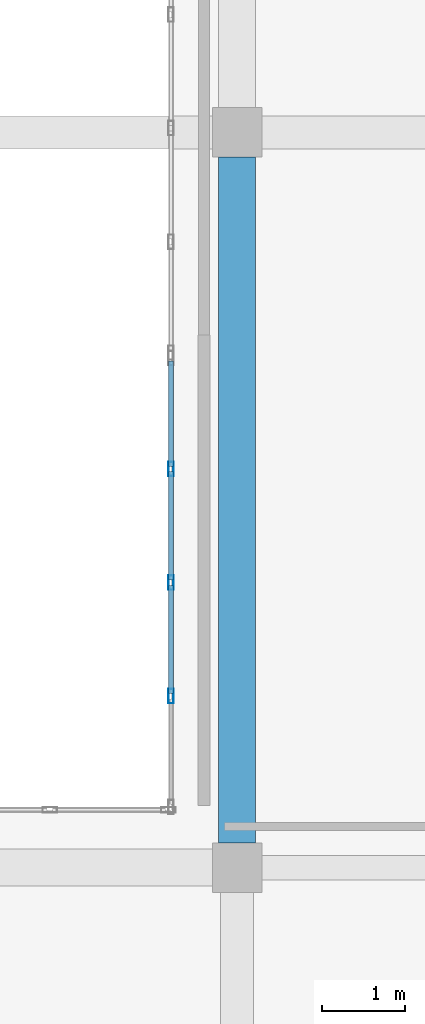
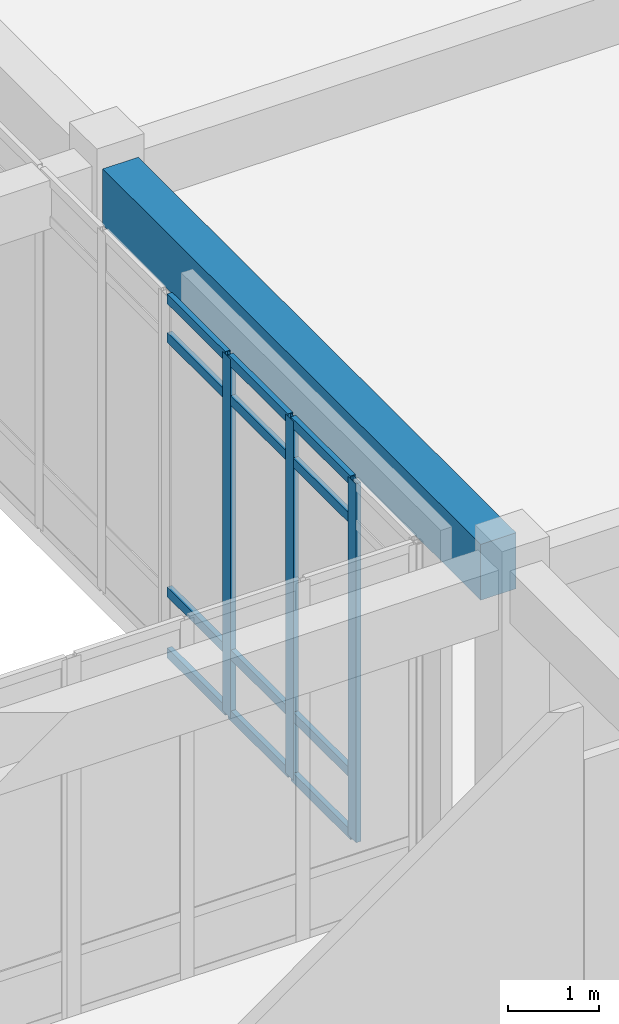
# One storey, part 63 of 121: 15 members, 1 beam, 1 element without a shape of its own.
"""IFC4 building model written with IfcOpenShell, lengths in metres."""

from ifc_helpers import new_model, si_unit, direction, frame, origin, origin_2d, place, context, subcontext, project, spatial, rectangle, hollow_rectangle, extrude, material, layer, layer_set, material_profile, profile_set, type_object, element, aggregate, save


model = new_model("IFC4")

# Units and contexts
model_context = context("Model", 3, precision=1e-05, world=origin(), true_north=direction((0.0, 1.0)))
body_context = subcontext(model_context, "Body", "Model", "MODEL_VIEW")
ifc_project = project(units=[si_unit("LENGTHUNIT", "METRE"), si_unit("AREAUNIT", "SQUARE_METRE"), si_unit("VOLUMEUNIT", "CUBIC_METRE"), si_unit("PLANEANGLEUNIT", "RADIAN"), si_unit("MASSUNIT", "GRAM", prefix="KILO")], contexts=[model_context])

# Site, building, storey
site_placement = place(None, origin())
site = spatial("IfcSite", under=ifc_project, at=site_placement, CompositionType="ELEMENT")
building_placement = place(site_placement, origin())
building = spatial("IfcBuilding", under=site, at=building_placement, Name="Valcora Specialist Clinic", CompositionType="ELEMENT")
storey_placement = place(building_placement, origin())
storey = spatial("IfcBuildingStorey", under=building, at=storey_placement, Name="L00", CompositionType="ELEMENT", Elevation=0.0)

# Beam
ifc_material_1 = material(Name="Concrete C40/50", Category="concrete")
ifc_material_profile_1 = material_profile(ifc_material_1, rectangle(XDim=0.449951171875, YDim=0.75, at=origin_2d()), Name="RC-BM-450X750")
ifc_profile_set_1 = profile_set([ifc_material_profile_1], Name="Concrete C40/50")
beam_type = type_object("IfcBeamType", Name="TY-BM-RC450X750", PredefinedType="BEAM", material=ifc_profile_set_1)
beam_placement = place(storey_placement, frame((126.0, 81.60009765625, 4.43505859375), z_axis=(0.0, 1.0, 0.0), x_axis=(-1.0, 0.0, 0.0)))
element("IfcBeam", 1, at=beam_placement, inside=storey, type_object=beam_type, Name="Beam BM-L00-0603", PredefinedType="BEAM", context=body_context, shape_type="SweptSolid", body=[
    extrude(rectangle(XDim=0.449951171875, YDim=0.75, at=origin_2d()), origin(), (0.0, 0.0, 1.0), 8.2998046875),
])

# Curtain wall, members
ifc_material_2 = material(Name="Anodized Bronze Aluminium 6063-T6", Category="aluminium")
ifc_layer = layer(ifc_material_2, 0.175048828125)
ifc_layer_set = layer_set([ifc_layer], Name="Anodized Bronze Aluminium 6063-T6")
curtain_wall_type = type_object("IfcCurtainWallType", Name="TY-CW-CRT15", PredefinedType="NOTDEFINED", material=ifc_layer_set)
curtain_wall_placement = place(storey_placement, origin())
curtain_wall = element("IfcCurtainWall", 2, at=curtain_wall_placement, inside=storey, type_object=curtain_wall_type, Name="Curtain wall CW-L00-044", PredefinedType="NOTDEFINED")
ifc_material_profile_2 = material_profile(ifc_material_2, hollow_rectangle(XDim=0.06494140625, YDim=0.175048828125, WallThickness=0.00390625, at=origin_2d()), Name="AL-MUL-65X175")
ifc_profile_set_2 = profile_set([ifc_material_profile_2], Name="Anodized Bronze Aluminium 6063-T6")
member_type_1 = type_object("IfcMemberType", Name="TY-CWM-65X175", PredefinedType="MULLION", material=ifc_profile_set_2)
member_1_placement = place(storey_placement, frame((125.199951171875, 83.375, 0.0), z_axis=(0.0, 0.0, 1.0), x_axis=(-1.0, 0.0, 0.0)))
member_1 = element("IfcMember", 3, at=member_1_placement, type_object=member_type_1, Name="CW-CRT-15 mullion 2", PredefinedType="MULLION", context=body_context, shape_type="SweptSolid", body=[
    extrude(hollow_rectangle(XDim=0.06494140625, YDim=0.175048828125, WallThickness=0.00390625, at=origin_2d()), origin(), (0.0, 0.0, 1.0), 4.81005859375),
])
member_2_placement = place(storey_placement, frame((125.199951171875, 84.75, 0.0), z_axis=(0.0, 0.0, 1.0), x_axis=(-1.0, 0.0, 0.0)))
member_2 = element("IfcMember", 4, at=member_2_placement, type_object=member_type_1, Name="CW-CRT-15 mullion 3", PredefinedType="MULLION", context=body_context, shape_type="SweptSolid", body=[
    extrude(hollow_rectangle(XDim=0.06494140625, YDim=0.175048828125, WallThickness=0.00390625, at=origin_2d()), origin(), (0.0, 0.0, 1.0), 4.81005859375),
])
member_3_placement = place(storey_placement, frame((125.199951171875, 86.125, 0.0), z_axis=(0.0, 0.0, 1.0), x_axis=(-1.0, 0.0, 0.0)))
member_3 = element("IfcMember", 5, at=member_3_placement, type_object=member_type_1, Name="CW-CRT-15 mullion 4", PredefinedType="MULLION", context=body_context, shape_type="SweptSolid", body=[
    extrude(hollow_rectangle(XDim=0.06494140625, YDim=0.175048828125, WallThickness=0.00390625, at=origin_2d()), origin(), (0.0, 0.0, 1.0), 4.81005859375),
])
ifc_material_profile_3 = material_profile(ifc_material_2, hollow_rectangle(XDim=0.06494140625, YDim=0.1298828125, WallThickness=0.00390625, at=origin_2d()), Name="AL-TRN-65X130")
ifc_profile_set_3 = profile_set([ifc_material_profile_3], Name="Anodized Bronze Aluminium 6063-T6")
member_type_2 = type_object("IfcMemberType", Name="TY-CWT-65X130", PredefinedType="USERDEFINED", material=ifc_profile_set_3)
member_4_placement = place(storey_placement, frame((125.199951171875, 83.407470703125, 0.032470703125), z_axis=(0.0, 1.0, 0.0), x_axis=(-1.0, 0.0, 0.0)))
member_4 = element("IfcMember", 6, at=member_4_placement, type_object=member_type_2, Name="CW-CRT-15 transom 2.1", ObjectType="TRANSOM", PredefinedType="USERDEFINED", context=body_context, shape_type="SweptSolid", body=[
    extrude(hollow_rectangle(XDim=0.06494140625, YDim=0.1298828125, WallThickness=0.00390625, at=origin_2d()), origin(), (0.0, 0.0, 1.0), 1.31005859375),
])
member_5_placement = place(storey_placement, frame((125.199951171875, 83.407470703125, 0.85009765625), z_axis=(0.0, 1.0, 0.0), x_axis=(-1.0, 0.0, 0.0)))
member_5 = element("IfcMember", 7, at=member_5_placement, type_object=member_type_2, Name="CW-CRT-15 transom 2.2", ObjectType="TRANSOM", PredefinedType="USERDEFINED", context=body_context, shape_type="SweptSolid", body=[
    extrude(hollow_rectangle(XDim=0.06494140625, YDim=0.1298828125, WallThickness=0.00390625, at=origin_2d()), origin(), (0.0, 0.0, 1.0), 1.31005859375),
])
member_6_placement = place(storey_placement, frame((125.199951171875, 83.407470703125, 4.260009765625), z_axis=(0.0, 1.0, 0.0), x_axis=(-1.0, 0.0, 0.0)))
member_6 = element("IfcMember", 8, at=member_6_placement, type_object=member_type_2, Name="CW-CRT-15 transom 2.3", ObjectType="TRANSOM", PredefinedType="USERDEFINED", context=body_context, shape_type="SweptSolid", body=[
    extrude(hollow_rectangle(XDim=0.06494140625, YDim=0.1298828125, WallThickness=0.00390625, at=origin_2d()), origin(), (0.0, 0.0, 1.0), 1.31005859375),
])
member_7_placement = place(storey_placement, frame((125.199951171875, 83.407470703125, 4.777587890625), z_axis=(0.0, 1.0, 0.0), x_axis=(-1.0, 0.0, 0.0)))
member_7 = element("IfcMember", 9, at=member_7_placement, type_object=member_type_2, Name="CW-CRT-15 transom 2.4", ObjectType="TRANSOM", PredefinedType="USERDEFINED", context=body_context, shape_type="SweptSolid", body=[
    extrude(hollow_rectangle(XDim=0.06494140625, YDim=0.1298828125, WallThickness=0.00390625, at=origin_2d()), origin(), (0.0, 0.0, 1.0), 1.31005859375),
])
member_8_placement = place(storey_placement, frame((125.199951171875, 84.782470703125, 0.032470703125), z_axis=(0.0, 1.0, 0.0), x_axis=(-1.0, 0.0, 0.0)))
member_8 = element("IfcMember", 10, at=member_8_placement, type_object=member_type_2, Name="CW-CRT-15 transom 3.1", ObjectType="TRANSOM", PredefinedType="USERDEFINED", context=body_context, shape_type="SweptSolid", body=[
    extrude(hollow_rectangle(XDim=0.06494140625, YDim=0.1298828125, WallThickness=0.00390625, at=origin_2d()), origin(), (0.0, 0.0, 1.0), 1.31005859375),
])
member_9_placement = place(storey_placement, frame((125.199951171875, 84.782470703125, 0.85009765625), z_axis=(0.0, 1.0, 0.0), x_axis=(-1.0, 0.0, 0.0)))
member_9 = element("IfcMember", 11, at=member_9_placement, type_object=member_type_2, Name="CW-CRT-15 transom 3.2", ObjectType="TRANSOM", PredefinedType="USERDEFINED", context=body_context, shape_type="SweptSolid", body=[
    extrude(hollow_rectangle(XDim=0.06494140625, YDim=0.1298828125, WallThickness=0.00390625, at=origin_2d()), origin(), (0.0, 0.0, 1.0), 1.31005859375),
])
member_10_placement = place(storey_placement, frame((125.199951171875, 84.782470703125, 4.260009765625), z_axis=(0.0, 1.0, 0.0), x_axis=(-1.0, 0.0, 0.0)))
member_10 = element("IfcMember", 12, at=member_10_placement, type_object=member_type_2, Name="CW-CRT-15 transom 3.3", ObjectType="TRANSOM", PredefinedType="USERDEFINED", context=body_context, shape_type="SweptSolid", body=[
    extrude(hollow_rectangle(XDim=0.06494140625, YDim=0.1298828125, WallThickness=0.00390625, at=origin_2d()), origin(), (0.0, 0.0, 1.0), 1.31005859375),
])
member_11_placement = place(storey_placement, frame((125.199951171875, 84.782470703125, 4.777587890625), z_axis=(0.0, 1.0, 0.0), x_axis=(-1.0, 0.0, 0.0)))
member_11 = element("IfcMember", 13, at=member_11_placement, type_object=member_type_2, Name="CW-CRT-15 transom 3.4", ObjectType="TRANSOM", PredefinedType="USERDEFINED", context=body_context, shape_type="SweptSolid", body=[
    extrude(hollow_rectangle(XDim=0.06494140625, YDim=0.1298828125, WallThickness=0.00390625, at=origin_2d()), origin(), (0.0, 0.0, 1.0), 1.31005859375),
])
member_12_placement = place(storey_placement, frame((125.199951171875, 86.157470703125, 0.032470703125), z_axis=(0.0, 1.0, 0.0), x_axis=(-1.0, 0.0, 0.0)))
member_12 = element("IfcMember", 14, at=member_12_placement, type_object=member_type_2, Name="CW-CRT-15 transom 4.1", ObjectType="TRANSOM", PredefinedType="USERDEFINED", context=body_context, shape_type="SweptSolid", body=[
    extrude(hollow_rectangle(XDim=0.06494140625, YDim=0.1298828125, WallThickness=0.00390625, at=origin_2d()), origin(), (0.0, 0.0, 1.0), 1.277587890625),
])
member_13_placement = place(storey_placement, frame((125.199951171875, 86.157470703125, 0.85009765625), z_axis=(0.0, 1.0, 0.0), x_axis=(-1.0, 0.0, 0.0)))
member_13 = element("IfcMember", 15, at=member_13_placement, type_object=member_type_2, Name="CW-CRT-15 transom 4.2", ObjectType="TRANSOM", PredefinedType="USERDEFINED", context=body_context, shape_type="SweptSolid", body=[
    extrude(hollow_rectangle(XDim=0.06494140625, YDim=0.1298828125, WallThickness=0.00390625, at=origin_2d()), origin(), (0.0, 0.0, 1.0), 1.277587890625),
])
member_14_placement = place(storey_placement, frame((125.199951171875, 86.157470703125, 4.260009765625), z_axis=(0.0, 1.0, 0.0), x_axis=(-1.0, 0.0, 0.0)))
member_14 = element("IfcMember", 16, at=member_14_placement, type_object=member_type_2, Name="CW-CRT-15 transom 4.3", ObjectType="TRANSOM", PredefinedType="USERDEFINED", context=body_context, shape_type="SweptSolid", body=[
    extrude(hollow_rectangle(XDim=0.06494140625, YDim=0.1298828125, WallThickness=0.00390625, at=origin_2d()), origin(), (0.0, 0.0, 1.0), 1.277587890625),
])
member_15_placement = place(storey_placement, frame((125.199951171875, 86.157470703125, 4.777587890625), z_axis=(0.0, 1.0, 0.0), x_axis=(-1.0, 0.0, 0.0)))
member_15 = element("IfcMember", 17, at=member_15_placement, type_object=member_type_2, Name="CW-CRT-15 transom 4.4", ObjectType="TRANSOM", PredefinedType="USERDEFINED", context=body_context, shape_type="SweptSolid", body=[
    extrude(hollow_rectangle(XDim=0.06494140625, YDim=0.1298828125, WallThickness=0.00390625, at=origin_2d()), origin(), (0.0, 0.0, 1.0), 1.277587890625),
])
aggregate(curtain_wall, [member_1, member_2, member_3, member_4, member_5, member_6, member_7, member_8, member_9, member_10, member_11, member_12, member_13, member_14, member_15])

save(model, "model.ifc")
